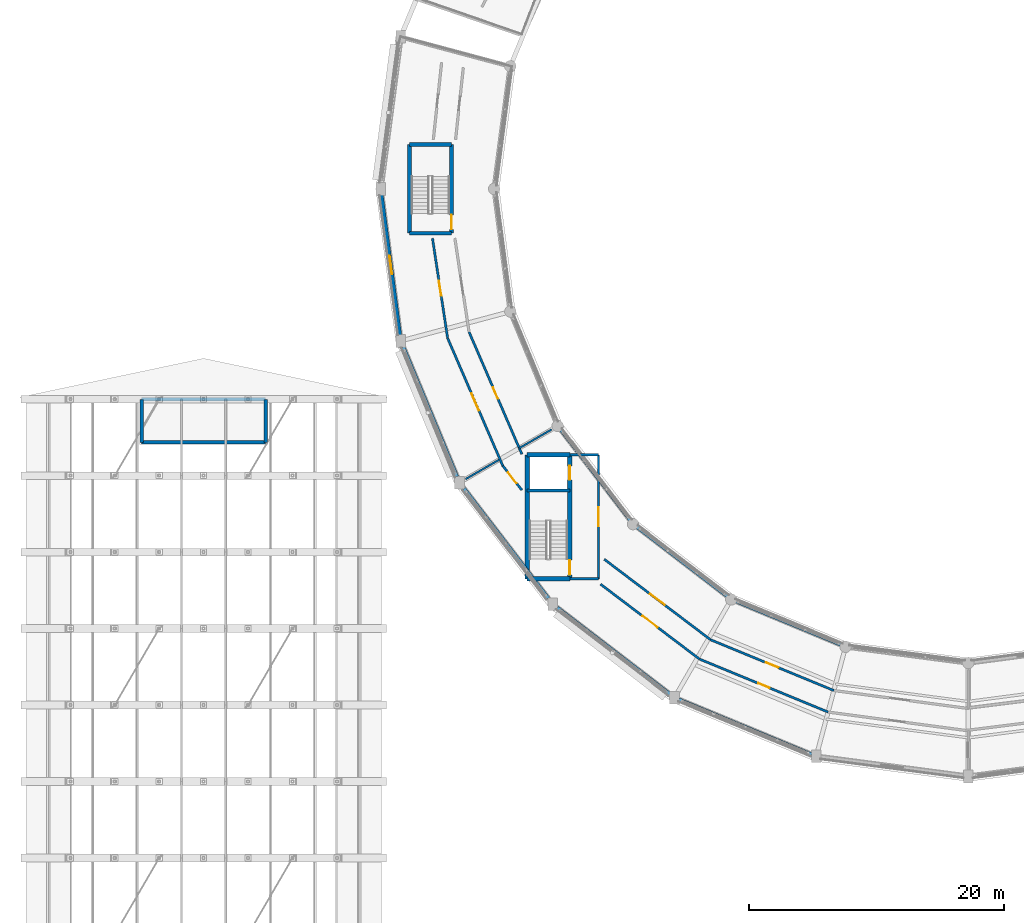
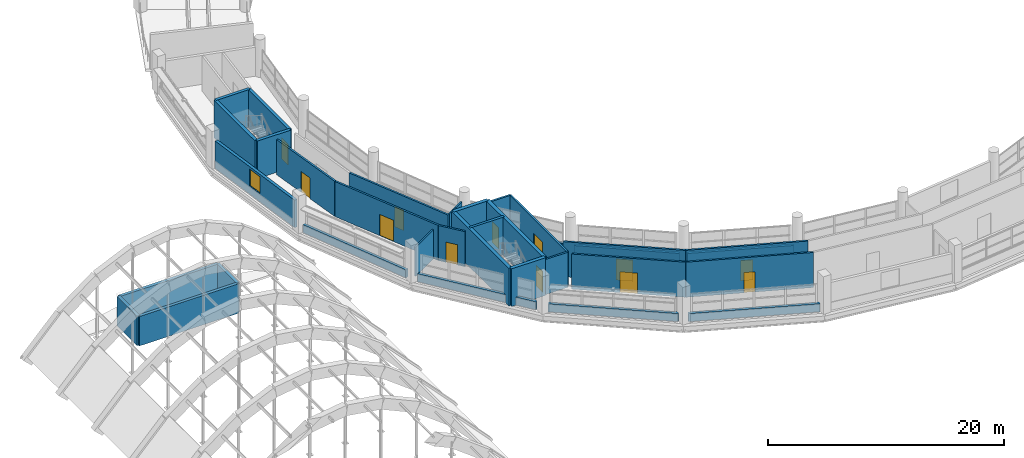
# One storey, part 74 of 88: 34 walls, 12 doors, 1 window, 13 openings.
"""IFC4 building model written with IfcOpenShell, lengths in metres."""

from ifc_helpers import new_model, si_unit, direction, frame, frame_2d, origin, place, context, subcontext, project, spatial, rectangle, extrude, material, layer, layer_set, type_object, element, fill, save


model = new_model("IFC4")

# Units and contexts
model_context = context("Model", 3, precision=1e-05, world=origin(), true_north=direction((0.0, 1.0)))
body_context = subcontext(model_context, "Body", "Model", "MODEL_VIEW")
ifc_project = project(units=[si_unit("LENGTHUNIT", "METRE"), si_unit("AREAUNIT", "SQUARE_METRE"), si_unit("VOLUMEUNIT", "CUBIC_METRE"), si_unit("PLANEANGLEUNIT", "RADIAN"), si_unit("MASSUNIT", "GRAM", prefix="KILO")], contexts=[model_context])

# Site, building, storey
site_placement = place(None, origin())
site = spatial("IfcSite", under=ifc_project, at=site_placement, CompositionType="ELEMENT")
building_placement = place(site_placement, origin())
building = spatial("IfcBuilding", under=site, at=building_placement, Name="Vespera Passage Community Centre", CompositionType="ELEMENT")
storey_placement = place(building_placement, frame((0.0, 0.0, 16.5)))
storey = spatial("IfcBuildingStorey", under=building, at=storey_placement, Name="L04", CompositionType="ELEMENT", Elevation=16.5)

# Wall, opening, door
ifc_material_1 = material(Name="Concrete f'c 45 MPa", Category="concrete")
ifc_layer_1 = layer(ifc_material_1, 0.300048828125)
ifc_layer_set_1 = layer_set([ifc_layer_1], Name="Concrete f'c 45 MPa")
wall_type_1 = type_object("IfcWallType", Name="WT-CORE-300I", PredefinedType="SHEAR", material=ifc_layer_set_1)
wall_1_placement = place(storey_placement, frame((37.449951171875, 68.97509765625, 0.0), z_axis=(0.0, 0.0, 1.0), x_axis=(0.0, -1.0, 0.0)))
wall_1 = element("IfcWall", 1, at=wall_1_placement, inside=storey, type_object=wall_type_1, Name="Core C2 L04 Shear Wall FRONT", PredefinedType="SHEAR", context=body_context, shape_type="SweptSolid", body=[
    extrude(rectangle(XDim=6.9501953125, YDim=0.300048828125, at=frame_2d((3.47509765625, 0.0))), origin(), (0.0, 0.0, 1.0), 3.89990234375),
])
opening_1_placement = place(wall_1_placement, frame((5.5048828125, 0.0, 0.0)))
opening_1 = element("IfcOpeningElement", 2, at=opening_1_placement, cuts=wall_1, Name="Opening DT-STAIR-90", PredefinedType="OPENING", context=body_context, shape_type="SweptSolid", body=[
    extrude(rectangle(XDim=1.14990234375, YDim=2.14990234375, at=frame_2d((0.574951171875, 1.074951171875))), frame((0.0, 0.159912109375, 0.0), z_axis=(0.0, -1.0, 0.0), x_axis=(1.0, 0.0, 0.0)), (0.0, 0.0, 1.0), 0.320068359375),
])
ifc_material_2 = material(Name="Painted hollow-metal acoustic door", Category="steel")
door_type_1 = type_object("IfcDoorType", Name="DT-STAIR-90", OperationType="NOTDEFINED", PredefinedType="DOOR", material=ifc_material_2)
door_1_placement = place(opening_1_placement, origin())
door_1 = element("IfcDoor", 3, at=door_1_placement, inside=storey, type_object=door_type_1, Name="Core C2 L04 Exit Stair Door D-069", OperationType="SINGLE_SWING_LEFT", OverallHeight=2.14990234375, OverallWidth=1.14990234375, PredefinedType="DOOR", context=body_context, shape_type="SweptSolid", body=[
    extrude(rectangle(XDim=1.14990234375, YDim=2.14990234375, at=frame_2d((0.574951171875, 1.074951171875))), frame((0.0, 0.02490234375, 0.0), z_axis=(0.0, -1.0, 0.0), x_axis=(1.0, 0.0, 0.0)), (0.0, 0.0, 1.0), 0.050048828125),
])
fill(opening_1, door_1)

# Walls
wall_2_placement = place(storey_placement, frame((37.449951171875, 62.02490234375, 0.0), z_axis=(0.0, 0.0, 1.0), x_axis=(-1.0, 0.0, 0.0)))
element("IfcWall", 4, at=wall_2_placement, inside=storey, type_object=wall_type_1, Name="Core C2 L04 Shear Wall LEFT", PredefinedType="SHEAR", context=body_context, shape_type="SweptSolid", body=[
    extrude(rectangle(XDim=3.300048828125, YDim=0.300048828125, at=frame_2d((1.64990234375, 0.0))), origin(), (0.0, 0.0, 1.0), 3.89990234375),
])
wall_3_placement = place(storey_placement, frame((34.14990234375, 62.02490234375, 0.0), z_axis=(0.0, 0.0, 1.0), x_axis=(0.0, 1.0, 0.0)))
element("IfcWall", 5, at=wall_3_placement, inside=storey, type_object=wall_type_1, Name="Core C2 L04 Shear Wall BACK", PredefinedType="SHEAR", context=body_context, shape_type="SweptSolid", body=[
    extrude(rectangle(XDim=6.9501953125, YDim=0.300048828125, at=frame_2d((3.47509765625, 0.0))), origin(), (0.0, 0.0, 1.0), 3.89990234375),
])
wall_4_placement = place(storey_placement, frame((34.14990234375, 68.97509765625, 0.0), z_axis=(0.0, 0.0, 1.0), x_axis=(1.0, 0.0, 0.0)))
element("IfcWall", 6, at=wall_4_placement, inside=storey, type_object=wall_type_1, Name="Core C2 L04 Shear Wall RIGHT", PredefinedType="SHEAR", context=body_context, shape_type="SweptSolid", body=[
    extrude(rectangle(XDim=3.300048828125, YDim=0.300048828125, at=frame_2d((1.64990234375, 0.0))), origin(), (0.0, 0.0, 1.0), 3.89990234375),
])

# Wall, openings, doors
ifc_material_3 = material(Name="Concrete f'c 45 MPa", Category="concrete")
ifc_layer_2 = layer(ifc_material_3, 0.340087890625)
ifc_layer_set_2 = layer_set([ifc_layer_2], Name="Concrete f'c 45 MPa")
wall_type_2 = type_object("IfcWallType", Name="WT-CORE-340I", PredefinedType="SHEAR", material=ifc_layer_set_2)
wall_5_placement = place(storey_placement, frame((46.73095703125, 44.6298828125, 0.0), z_axis=(0.0, 0.0, 1.0), x_axis=(0.0, -1.0, 0.0)))
wall_5 = element("IfcWall", 7, at=wall_5_placement, inside=storey, type_object=wall_type_2, Name="Core C3 L04 Shear Wall FRONT", PredefinedType="SHEAR", context=body_context, shape_type="SweptSolid", body=[
    extrude(rectangle(XDim=9.72998046875, YDim=0.340087890625, at=frame_2d((4.864990234375, 0.0))), origin(), (0.0, 0.0, 1.0), 3.89990234375),
])
opening_2_placement = place(wall_5_placement, frame((8.264892578125, 0.0, 0.0)))
opening_2 = element("IfcOpeningElement", 8, at=opening_2_placement, cuts=wall_5, Name="Opening DT-STAIR-90", PredefinedType="OPENING", context=body_context, shape_type="SweptSolid", body=[
    extrude(rectangle(XDim=1.14990234375, YDim=2.14990234375, at=frame_2d((0.574951171875, 1.074951171875))), frame((0.0, 0.179931640625, 0.0), z_axis=(0.0, -1.0, 0.0), x_axis=(1.0, 0.0, 0.0)), (0.0, 0.0, 1.0), 0.360107421875),
])
opening_3_placement = place(wall_5_placement, frame((0.8701171875, 0.0, 0.0)))
opening_3 = element("IfcOpeningElement", 9, at=opening_3_placement, cuts=wall_5, Name="Opening DT-LIFT-110", PredefinedType="OPENING", context=body_context, shape_type="SweptSolid", body=[
    extrude(rectangle(XDim=1.10009765625, YDim=2.14990234375, at=frame_2d((0.550048828125, 1.074951171875))), frame((0.0, 0.179931640625, 0.0), z_axis=(0.0, -1.0, 0.0), x_axis=(1.0, 0.0, 0.0)), (0.0, 0.0, 1.0), 0.360107421875),
])
ifc_material_4 = material(Name="Painted hollow-metal acoustic door", Category="steel")
door_type_2 = type_object("IfcDoorType", Name="DT-LIFT-110", OperationType="NOTDEFINED", PredefinedType="DOOR", material=ifc_material_4)
door_2_placement = place(opening_3_placement, origin())
door_2 = element("IfcDoor", 10, at=door_2_placement, inside=storey, type_object=door_type_2, Name="Elevator EL-01 L04 Landing Door LD-014", OperationType="SLIDING_TO_LEFT", OverallHeight=2.14990234375, OverallWidth=1.10009765625, PredefinedType="DOOR", context=body_context, shape_type="SweptSolid", body=[
    extrude(rectangle(XDim=1.10009765625, YDim=2.14990234375, at=frame_2d((0.550048828125, 1.074951171875))), frame((0.0, 0.02490234375, 0.0), z_axis=(0.0, -1.0, 0.0), x_axis=(1.0, 0.0, 0.0)), (0.0, 0.0, 1.0), 0.050048828125),
])
fill(opening_3, door_2)
door_3_placement = place(opening_2_placement, origin())
door_3 = element("IfcDoor", 11, at=door_3_placement, inside=storey, type_object=door_type_1, Name="Core C3 L04 Exit Stair Door D-082", OperationType="SINGLE_SWING_RIGHT", OverallHeight=2.14990234375, OverallWidth=1.14990234375, PredefinedType="DOOR", context=body_context, shape_type="SweptSolid", body=[
    extrude(rectangle(XDim=1.14990234375, YDim=2.14990234375, at=frame_2d((0.574951171875, 1.074951171875))), frame((0.0, 0.02490234375, 0.0), z_axis=(0.0, -1.0, 0.0), x_axis=(1.0, 0.0, 0.0)), (0.0, 0.0, 1.0), 0.050048828125),
])
fill(opening_2, door_3)

# Walls
wall_6_placement = place(storey_placement, frame((46.73095703125, 34.89990234375, 0.0), z_axis=(0.0, 0.0, 1.0), x_axis=(-1.0, 0.0, 0.0)))
element("IfcWall", 12, at=wall_6_placement, inside=storey, type_object=wall_type_2, Name="Core C3 L04 Shear Wall LEFT", PredefinedType="SHEAR", context=body_context, shape_type="SweptSolid", body=[
    extrude(rectangle(XDim=3.33984375, YDim=0.340087890625, at=frame_2d((1.669921875, 0.0))), origin(), (0.0, 0.0, 1.0), 3.89990234375),
])
wall_7_placement = place(storey_placement, frame((43.39111328125, 34.89990234375, 0.0), z_axis=(0.0, 0.0, 1.0), x_axis=(0.0, 1.0, 0.0)))
element("IfcWall", 13, at=wall_7_placement, inside=storey, type_object=wall_type_2, Name="Core C3 L04 Shear Wall BACK", PredefinedType="SHEAR", context=body_context, shape_type="SweptSolid", body=[
    extrude(rectangle(XDim=9.72998046875, YDim=0.340087890625, at=frame_2d((4.864990234375, 0.0))), origin(), (0.0, 0.0, 1.0), 3.89990234375),
])
wall_8_placement = place(storey_placement, frame((43.39111328125, 44.6298828125, 0.0), z_axis=(0.0, 0.0, 1.0), x_axis=(1.0, 0.0, 0.0)))
element("IfcWall", 14, at=wall_8_placement, inside=storey, type_object=wall_type_2, Name="Core C3 L04 Shear Wall RIGHT", PredefinedType="SHEAR", context=body_context, shape_type="SweptSolid", body=[
    extrude(rectangle(XDim=3.33984375, YDim=0.340087890625, at=frame_2d((1.669921875, 0.0))), origin(), (0.0, 0.0, 1.0), 3.89990234375),
])

# Wall, opening, door
ifc_material_5 = material(Name="Gypsum board acoustic stud partition")
ifc_layer_3 = layer(ifc_material_5, 0.179931640625)
ifc_layer_set_3 = layer_set([ifc_layer_3], Name="Gypsum board acoustic stud partition")
wall_type_3 = type_object("IfcWallType", Name="WT-CORR-180I", PredefinedType="PARTITIONING", material=ifc_layer_set_3)
wall_9_placement = place(storey_placement, frame((48.98095703125, 34.89990234375, 0.0), z_axis=(0.0, 0.0, 1.0), x_axis=(0.0, 1.0, 0.0)))
wall_9 = element("IfcWall", 15, at=wall_9_placement, inside=storey, type_object=wall_type_3, Name="Core C3 L04 Lift Lobby Front Wall", PredefinedType="PARTITIONING", context=body_context, shape_type="SweptSolid", body=[
    extrude(rectangle(XDim=9.72998046875, YDim=0.179931640625, at=frame_2d((4.864990234375, 0.0))), origin(), (0.0, 0.0, 1.0), 3.635009765625),
])
opening_4_placement = place(wall_9_placement, frame((4.114990234375, 0.0, 0.0)))
opening_4 = element("IfcOpeningElement", 16, at=opening_4_placement, cuts=wall_9, Name="Opening DT-CORR-150", PredefinedType="OPENING", context=body_context, shape_type="SweptSolid", body=[
    extrude(rectangle(XDim=1.5, YDim=2.14990234375, at=frame_2d((0.75, 1.074951171875))), frame((0.0, 0.099853515625, 0.0), z_axis=(0.0, -1.0, 0.0), x_axis=(1.0, 0.0, 0.0)), (0.0, 0.0, 1.0), 0.199951171875),
])
ifc_material_6 = material(Name="Painted hollow-metal acoustic door", Category="steel")
door_type_3 = type_object("IfcDoorType", Name="DT-CORR-150", OperationType="NOTDEFINED", PredefinedType="DOOR", material=ifc_material_6)
door_4_placement = place(opening_4_placement, origin())
door_4 = element("IfcDoor", 17, at=door_4_placement, inside=storey, type_object=door_type_3, Name="Core C3 L04 Lift Lobby Door D-083", OperationType="SINGLE_SWING_LEFT", OverallHeight=2.14990234375, OverallWidth=1.5, PredefinedType="DOOR", context=body_context, shape_type="SweptSolid", body=[
    extrude(rectangle(XDim=1.5, YDim=2.14990234375, at=frame_2d((0.75, 1.074951171875))), frame((0.0, 0.02490234375, 0.0), z_axis=(0.0, -1.0, 0.0), x_axis=(1.0, 0.0, 0.0)), (0.0, 0.0, 1.0), 0.050048828125),
])
fill(opening_4, door_4)

# Walls
for number, where, z_axis, x_axis, name in (
    (18, (46.73095703125, 34.89990234375, 0.0), (0.0, 0.0, 1.0), (1.0, 0.0, 0.0), "Core C3 L04 Lift Lobby Side Wall L"),
    (19, (46.73095703125, 44.6298828125, 0.0), (0.0, 0.0, 1.0), (1.0, 0.0, 0.0), "Core C3 L04 Lift Lobby Side Wall R"),
):
    element("IfcWall", number, at=place(storey_placement, frame(where, z_axis=z_axis, x_axis=x_axis)), inside=storey, type_object=wall_type_3, Name=name, PredefinedType="PARTITIONING", context=body_context, shape_type="SweptSolid", body=[
        extrude(rectangle(XDim=2.25, YDim=0.179931640625, at=frame_2d((1.125, 0.0))), origin(), (0.0, 0.0, 1.0), 3.635009765625),
    ])

# Wall, opening, door
wall_10_placement = place(storey_placement, frame((35.957275390625, 61.625, 0.0), z_axis=(0.0, 0.0, 1.0), x_axis=(0.14997684897, -0.988689508781, 0.0)))
wall_10 = element("IfcWall", 20, at=wall_10_placement, inside=storey, type_object=wall_type_3, Name="L04 Interior Partition V4-L04-CO09.1", PredefinedType="PARTITIONING", context=body_context, shape_type="SweptSolid", body=[
    extrude(rectangle(XDim=7.92919921875, YDim=0.179931640625, at=frame_2d((3.964599609375, 0.0))), origin(), (0.0, 0.0, 1.0), 3.635009765625),
])
opening_5_placement = place(wall_10_placement, frame((3.364501953125, 0.0, 0.0)))
opening_5 = element("IfcOpeningElement", 21, at=opening_5_placement, cuts=wall_10, Name="Opening DT-CORR-120", PredefinedType="OPENING", context=body_context, shape_type="SweptSolid", body=[
    extrude(rectangle(XDim=1.199951171875, YDim=2.14990234375, at=frame_2d((0.60009765625, 1.074951171875))), frame((0.0, 0.099853515625, 0.0), z_axis=(0.0, -1.0, 0.0), x_axis=(1.0, 0.0, 0.0)), (0.0, 0.0, 1.0), 0.199951171875),
])
ifc_material_7 = material(Name="Painted hollow-metal acoustic door", Category="steel")
door_type_4 = type_object("IfcDoorType", Name="DT-CORR-120", OperationType="NOTDEFINED", PredefinedType="DOOR", material=ifc_material_7)
door_5_placement = place(opening_5_placement, origin())
door_5 = element("IfcDoor", 22, at=door_5_placement, inside=storey, type_object=door_type_4, Name="L04 Interior Door D-279", OperationType="SINGLE_SWING_LEFT", OverallHeight=2.14990234375, OverallWidth=1.199951171875, PredefinedType="DOOR", context=body_context, shape_type="SweptSolid", body=[
    extrude(rectangle(XDim=1.199951171875, YDim=2.14990234375, at=frame_2d((0.60009765625, 1.074951171875))), frame((0.0, 0.02490234375, 0.0), z_axis=(0.0, -1.0, 0.0), x_axis=(1.0, 0.0, 0.0)), (0.0, 0.0, 1.0), 0.050048828125),
])
fill(opening_5, door_5)

wall_11_placement = place(storey_placement, frame((37.146484375, 53.785400390625, 0.0), z_axis=(0.0, 0.0, 1.0), x_axis=(0.396728746424, -0.917935891967, 0.0)))
wall_11 = element("IfcWall", 23, at=wall_11_placement, inside=storey, type_object=wall_type_3, Name="L04 Interior Partition V4-L04-CO10.1", PredefinedType="PARTITIONING", context=body_context, shape_type="SweptSolid", body=[
    extrude(rectangle(XDim=10.91064453125, YDim=0.179931640625, at=frame_2d((5.455322265625, 0.0))), origin(), (0.0, 0.0, 1.0), 3.635009765625),
])
opening_6_placement = place(wall_11_placement, frame((4.73046875, 0.0, 0.0)))
opening_6 = element("IfcOpeningElement", 24, at=opening_6_placement, cuts=wall_11, Name="Opening DT-PLANT-145", PredefinedType="OPENING", context=body_context, shape_type="SweptSolid", body=[
    extrude(rectangle(XDim=1.449951171875, YDim=2.199951171875, at=frame_2d((0.72509765625, 1.10009765625))), frame((0.0, 0.099853515625, 0.0), z_axis=(0.0, -1.0, 0.0), x_axis=(1.0, 0.0, 0.0)), (0.0, 0.0, 1.0), 0.199951171875),
])
ifc_material_8 = material(Name="Painted hollow-metal acoustic door", Category="steel")
door_type_5 = type_object("IfcDoorType", Name="DT-PLANT-145", OperationType="NOTDEFINED", PredefinedType="DOOR", material=ifc_material_8)
door_6_placement = place(opening_6_placement, origin())
door_6 = element("IfcDoor", 25, at=door_6_placement, inside=storey, type_object=door_type_5, Name="L04 Interior Door D-281", OperationType="SINGLE_SWING_LEFT", OverallHeight=2.199951171875, OverallWidth=1.449951171875, PredefinedType="DOOR", context=body_context, shape_type="SweptSolid", body=[
    extrude(rectangle(XDim=1.449951171875, YDim=2.199951171875, at=frame_2d((0.72509765625, 1.10009765625))), frame((0.0, 0.02490234375, 0.0), z_axis=(0.0, -1.0, 0.0), x_axis=(1.0, 0.0, 0.0)), (0.0, 0.0, 1.0), 0.050048828125),
])
fill(opening_6, door_6)

wall_12_placement = place(storey_placement, frame((38.82861328125, 54.267822265625, 0.0), z_axis=(0.0, 0.0, 1.0), x_axis=(0.3967423678, -0.917930004735, 0.0)))
wall_12 = element("IfcWall", 26, at=wall_12_placement, inside=storey, type_object=wall_type_3, Name="L04 Interior Partition V4-L04-CI10.1", PredefinedType="PARTITIONING", context=body_context, shape_type="SweptSolid", body=[
    extrude(rectangle(XDim=10.44091796875, YDim=0.179931640625, at=frame_2d((5.220458984375, 0.0))), origin(), (0.0, 0.0, 1.0), 3.635009765625),
])
opening_7_placement = place(wall_12_placement, frame((4.74560546875, 0.0, 0.0)))
opening_7 = element("IfcOpeningElement", 27, at=opening_7_placement, cuts=wall_12, Name="Opening DT-CORR-95", PredefinedType="OPENING", context=body_context, shape_type="SweptSolid", body=[
    extrude(rectangle(XDim=0.949951171875, YDim=2.10009765625, at=frame_2d((0.47509765625, 1.050048828125))), frame((0.0, 0.099853515625, 0.0), z_axis=(0.0, -1.0, 0.0), x_axis=(1.0, 0.0, 0.0)), (0.0, 0.0, 1.0), 0.199951171875),
])
ifc_material_9 = material(Name="Painted hollow-metal acoustic door", Category="steel")
door_type_6 = type_object("IfcDoorType", Name="DT-CORR-95", OperationType="NOTDEFINED", PredefinedType="DOOR", material=ifc_material_9)
door_7_placement = place(opening_7_placement, origin())
door_7 = element("IfcDoor", 28, at=door_7_placement, inside=storey, type_object=door_type_6, Name="L04 Interior Door D-282", OperationType="SINGLE_SWING_RIGHT", OverallHeight=2.10009765625, OverallWidth=0.949951171875, PredefinedType="DOOR", context=body_context, shape_type="SweptSolid", body=[
    extrude(rectangle(XDim=0.949951171875, YDim=2.10009765625, at=frame_2d((0.47509765625, 1.050048828125))), frame((0.0, 0.02490234375, 0.0), z_axis=(0.0, -1.0, 0.0), x_axis=(1.0, 0.0, 0.0)), (0.0, 0.0, 1.0), 0.050048828125),
])
fill(opening_7, door_7)

wall_13_placement = place(storey_placement, frame((41.47509765625, 43.77001953125, 0.0), z_axis=(0.0, 0.0, 1.0), x_axis=(0.61738089069, -0.78666437304, 0.0)))
wall_13 = element("IfcWall", 29, at=wall_13_placement, inside=storey, type_object=wall_type_3, Name="L04 Interior Partition V4-L04-CO11.1", PredefinedType="PARTITIONING", context=body_context, shape_type="SweptSolid", body=[
    extrude(rectangle(XDim=2.4228515625, YDim=0.179931640625, at=frame_2d((1.21142578125, 0.0))), origin(), (0.0, 0.0, 1.0), 3.635009765625),
])
opening_8_placement = place(wall_13_placement, frame((0.686279296875, 0.0, 0.0)))
opening_8 = element("IfcOpeningElement", 30, at=opening_8_placement, cuts=wall_13, Name="Opening DT-CORR-105", PredefinedType="OPENING", context=body_context, shape_type="SweptSolid", body=[
    extrude(rectangle(XDim=1.050048828125, YDim=2.10009765625, at=frame_2d((0.52490234375, 1.050048828125))), frame((0.0, 0.099853515625, 0.0), z_axis=(0.0, -1.0, 0.0), x_axis=(1.0, 0.0, 0.0)), (0.0, 0.0, 1.0), 0.199951171875),
])
ifc_material_10 = material(Name="Painted hollow-metal acoustic door", Category="steel")
door_type_7 = type_object("IfcDoorType", Name="DT-CORR-105", OperationType="NOTDEFINED", PredefinedType="DOOR", material=ifc_material_10)
door_8_placement = place(opening_8_placement, origin())
door_8 = element("IfcDoor", 31, at=door_8_placement, inside=storey, type_object=door_type_7, Name="L04 Interior Door D-283", OperationType="SINGLE_SWING_LEFT", OverallHeight=2.10009765625, OverallWidth=1.050048828125, PredefinedType="DOOR", context=body_context, shape_type="SweptSolid", body=[
    extrude(rectangle(XDim=1.050048828125, YDim=2.10009765625, at=frame_2d((0.52490234375, 1.050048828125))), frame((0.0, 0.02490234375, 0.0), z_axis=(0.0, -1.0, 0.0), x_axis=(1.0, 0.0, 0.0)), (0.0, 0.0, 1.0), 0.050048828125),
])
fill(opening_8, door_8)

wall_14_placement = place(storey_placement, frame((49.145263671875, 34.47998046875, 0.0), z_axis=(0.0, 0.0, 1.0), x_axis=(0.797320966948, -0.603555528237, 0.0)))
wall_14 = element("IfcWall", 32, at=wall_14_placement, inside=storey, type_object=wall_type_3, Name="L04 Interior Partition V4-L04-CO12.1", PredefinedType="PARTITIONING", context=body_context, shape_type="SweptSolid", body=[
    extrude(rectangle(XDim=9.73974609375, YDim=0.179931640625, at=frame_2d((4.869873046875, 0.0))), origin(), (0.0, 0.0, 1.0), 3.635009765625),
])
opening_9_placement = place(wall_14_placement, frame((4.119873046875, 0.0, 0.0)))
opening_9 = element("IfcOpeningElement", 33, at=opening_9_placement, cuts=wall_14, Name="Opening DT-CORR-150", PredefinedType="OPENING", context=body_context, shape_type="SweptSolid", body=[
    extrude(rectangle(XDim=1.5, YDim=2.14990234375, at=frame_2d((0.75, 1.074951171875))), frame((0.0, 0.099853515625, 0.0), z_axis=(0.0, -1.0, 0.0), x_axis=(1.0, 0.0, 0.0)), (0.0, 0.0, 1.0), 0.199951171875),
])
door_9_placement = place(opening_9_placement, origin())
door_9 = element("IfcDoor", 34, at=door_9_placement, inside=storey, type_object=door_type_3, Name="L04 Interior Door D-284", OperationType="SINGLE_SWING_RIGHT", OverallHeight=2.14990234375, OverallWidth=1.5, PredefinedType="DOOR", context=body_context, shape_type="SweptSolid", body=[
    extrude(rectangle(XDim=1.5, YDim=2.14990234375, at=frame_2d((0.75, 1.074951171875))), frame((0.0, 0.02490234375, 0.0), z_axis=(0.0, -1.0, 0.0), x_axis=(1.0, 0.0, 0.0)), (0.0, 0.0, 1.0), 0.050048828125),
])
fill(opening_9, door_9)

wall_15_placement = place(storey_placement, frame((49.43798828125, 36.43505859375, 0.0), z_axis=(0.0, 0.0, 1.0), x_axis=(0.797320488193, -0.60355616069, 0.0)))
wall_15 = element("IfcWall", 35, at=wall_15_placement, inside=storey, type_object=wall_type_3, Name="L04 Interior Partition V4-L04-CI12.1", PredefinedType="PARTITIONING", context=body_context, shape_type="SweptSolid", body=[
    extrude(rectangle(XDim=10.461669921875, YDim=0.179931640625, at=frame_2d((5.23095703125, 0.0))), origin(), (0.0, 0.0, 1.0), 3.635009765625),
])
opening_10_placement = place(wall_15_placement, frame((4.505859375, 0.0, 0.0)))
opening_10 = element("IfcOpeningElement", 36, at=opening_10_placement, cuts=wall_15, Name="Opening DT-PLANT-145", PredefinedType="OPENING", context=body_context, shape_type="SweptSolid", body=[
    extrude(rectangle(XDim=1.449951171875, YDim=2.199951171875, at=frame_2d((0.72509765625, 1.10009765625))), frame((0.0, 0.099853515625, 0.0), z_axis=(0.0, -1.0, 0.0), x_axis=(1.0, 0.0, 0.0)), (0.0, 0.0, 1.0), 0.199951171875),
])
door_10_placement = place(opening_10_placement, origin())
door_10 = element("IfcDoor", 37, at=door_10_placement, inside=storey, type_object=door_type_5, Name="L04 Interior Door D-285", OperationType="SINGLE_SWING_LEFT", OverallHeight=2.199951171875, OverallWidth=1.449951171875, PredefinedType="DOOR", context=body_context, shape_type="SweptSolid", body=[
    extrude(rectangle(XDim=1.449951171875, YDim=2.199951171875, at=frame_2d((0.72509765625, 1.10009765625))), frame((0.0, 0.02490234375, 0.0), z_axis=(0.0, -1.0, 0.0), x_axis=(1.0, 0.0, 0.0)), (0.0, 0.0, 1.0), 0.050048828125),
])
fill(opening_10, door_10)

wall_16_placement = place(storey_placement, frame((56.910888671875, 28.6015625, 0.0), z_axis=(0.0, 0.0, 1.0), x_axis=(0.924714240297, -0.380662020421, 0.0)))
wall_16 = element("IfcWall", 38, at=wall_16_placement, inside=storey, type_object=wall_type_3, Name="L04 Interior Partition V4-L04-CO13.1", PredefinedType="PARTITIONING", context=body_context, shape_type="SweptSolid", body=[
    extrude(rectangle(XDim=10.910888671875, YDim=0.179931640625, at=frame_2d((5.45556640625, 0.0))), origin(), (0.0, 0.0, 1.0), 3.635009765625),
])
opening_11_placement = place(wall_16_placement, frame((4.98046875, 0.0, 0.0)))
opening_11 = element("IfcOpeningElement", 39, at=opening_11_placement, cuts=wall_16, Name="Opening DT-CORR-95", PredefinedType="OPENING", context=body_context, shape_type="SweptSolid", body=[
    extrude(rectangle(XDim=0.949951171875, YDim=2.10009765625, at=frame_2d((0.47509765625, 1.050048828125))), frame((0.0, 0.099853515625, 0.0), z_axis=(0.0, -1.0, 0.0), x_axis=(1.0, 0.0, 0.0)), (0.0, 0.0, 1.0), 0.199951171875),
])
door_11_placement = place(opening_11_placement, origin())
door_11 = element("IfcDoor", 40, at=door_11_placement, inside=storey, type_object=door_type_6, Name="L04 Interior Door D-286", OperationType="SINGLE_SWING_RIGHT", OverallHeight=2.10009765625, OverallWidth=0.949951171875, PredefinedType="DOOR", context=body_context, shape_type="SweptSolid", body=[
    extrude(rectangle(XDim=0.949951171875, YDim=2.10009765625, at=frame_2d((0.47509765625, 1.050048828125))), frame((0.0, 0.02490234375, 0.0), z_axis=(0.0, -1.0, 0.0), x_axis=(1.0, 0.0, 0.0)), (0.0, 0.0, 1.0), 0.050048828125),
])
fill(opening_11, door_11)

wall_17_placement = place(storey_placement, frame((57.779296875, 30.120849609375, 0.0), z_axis=(0.0, 0.0, 1.0), x_axis=(0.92470902743, -0.38067468341, 0.0)))
wall_17 = element("IfcWall", 41, at=wall_17_placement, inside=storey, type_object=wall_type_3, Name="L04 Interior Partition V4-L04-CI13.1", PredefinedType="PARTITIONING", context=body_context, shape_type="SweptSolid", body=[
    extrude(rectangle(XDim=10.46142578125, YDim=0.179931640625, at=frame_2d((5.230712890625, 0.0))), origin(), (0.0, 0.0, 1.0), 3.635009765625),
])
opening_12_placement = place(wall_17_placement, frame((4.705810546875, 0.0, 0.0)))
opening_12 = element("IfcOpeningElement", 42, at=opening_12_placement, cuts=wall_17, Name="Opening DT-CORR-105", PredefinedType="OPENING", context=body_context, shape_type="SweptSolid", body=[
    extrude(rectangle(XDim=1.050048828125, YDim=2.10009765625, at=frame_2d((0.52490234375, 1.050048828125))), frame((0.0, 0.099853515625, 0.0), z_axis=(0.0, -1.0, 0.0), x_axis=(1.0, 0.0, 0.0)), (0.0, 0.0, 1.0), 0.199951171875),
])
door_12_placement = place(opening_12_placement, origin())
door_12 = element("IfcDoor", 43, at=door_12_placement, inside=storey, type_object=door_type_7, Name="L04 Interior Door D-287", OperationType="SINGLE_SWING_LEFT", OverallHeight=2.10009765625, OverallWidth=1.050048828125, PredefinedType="DOOR", context=body_context, shape_type="SweptSolid", body=[
    extrude(rectangle(XDim=1.050048828125, YDim=2.10009765625, at=frame_2d((0.52490234375, 1.050048828125))), frame((0.0, 0.02490234375, 0.0), z_axis=(0.0, -1.0, 0.0), x_axis=(1.0, 0.0, 0.0)), (0.0, 0.0, 1.0), 0.050048828125),
])
fill(opening_12, door_12)

# Walls
ifc_material_11 = material(Name="Concrete f'c 45 MPa", Category="concrete")
ifc_layer_4 = layer(ifc_material_11, 0.239990234375)
ifc_layer_set_4 = layer_set([ifc_layer_4], Name="Concrete f'c 45 MPa")
wall_type_4 = type_object("IfcWallType", Name="WT-DIV-240I", PredefinedType="SHEAR", material=ifc_layer_set_4)
wall_18_placement = place(storey_placement, frame((46.73095703125, 41.840087890625, 0.0), z_axis=(0.0, 0.0, 1.0), x_axis=(-1.0, 0.0, 0.0)))
element("IfcWall", 44, at=wall_18_placement, inside=storey, type_object=wall_type_4, Name="Core C3 L04 Hoistway Divider Wall", PredefinedType="SHEAR", context=body_context, shape_type="SweptSolid", body=[
    extrude(rectangle(XDim=3.33984375, YDim=0.239990234375, at=frame_2d((1.669921875, 0.0))), origin(), (0.0, 0.0, 1.0), 3.89990234375),
])
ifc_material_12 = material(Name="Precast concrete f'c 40 MPa", Category="concrete")
ifc_layer_5 = layer(ifc_material_12, 0.25)
ifc_layer_set_5 = layer_set([ifc_layer_5], Name="Precast concrete f'c 40 MPa")
wall_type_5 = type_object("IfcWallType", Name="WT-EXT-250E", PredefinedType="STANDARD", material=ifc_layer_set_5)
for number, where, z_axis, x_axis, name in (
    (45, (45.998779296875, 46.619873046875, 0.0), (0.0, 0.0, 1.0), (0.608769580289, -0.793347085527, 0.0), "V4 L04 Court Spandrel Wall I14"),
    (46, (51.975830078125, 38.980712890625, 0.0), (0.0, 0.0, 1.0), (0.793347085527, -0.608769580289, 0.0), "V4 L04 Court Spandrel Wall I15"),
):
    element("IfcWall", number, at=place(storey_placement, frame(where, z_axis=z_axis, x_axis=x_axis)), inside=storey, type_object=wall_type_5, Name=name, PredefinedType="STANDARD", context=body_context, shape_type="SweptSolid", body=[
        extrude(rectangle(XDim=9.0048828125, YDim=0.25, at=frame_2d((4.50244140625, 0.0))), origin(), (0.0, 0.0, 1.0), 0.820068359375),
    ])
wall_19_placement = place(storey_placement, frame((59.677001953125, 33.169189453125, 0.0), z_axis=(0.0, 0.0, 1.0), x_axis=(0.923880324771, -0.382681519675, 0.0)))
element("IfcWall", 47, at=wall_19_placement, inside=storey, type_object=wall_type_5, Name="V4 L04 Court Spandrel Wall I16", PredefinedType="STANDARD", context=body_context, shape_type="SweptSolid", body=[
    extrude(rectangle(XDim=9.111572265625, YDim=0.25, at=frame_2d((4.5556640625, 0.0))), origin(), (0.0, 0.0, 1.0), 0.820068359375),
])

# Wall, opening, window
ifc_material_13 = material(Name="Precast concrete f'c 40 MPa", Category="concrete")
ifc_layer_6 = layer(ifc_material_13, 0.280029296875)
ifc_layer_set_6 = layer_set([ifc_layer_6], Name="Precast concrete f'c 40 MPa")
wall_type_6 = type_object("IfcWallType", Name="WT-EXT-280E", PredefinedType="STANDARD", material=ifc_layer_set_6)
wall_20_placement = place(storey_placement, frame((33.408203125, 54.043701171875, 0.0), z_axis=(0.0, 0.0, 1.0), x_axis=(-0.130513242145, 0.991446566197, 0.0)))
wall_20 = element("IfcWall", 48, at=wall_20_placement, inside=storey, type_object=wall_type_6, Name="V4 L04 Outer Precast Wall 12", PredefinedType="STANDARD", context=body_context, shape_type="SweptSolid", body=[
    extrude(rectangle(XDim=11.075927734375, YDim=0.280029296875, at=frame_2d((5.5380859375, 0.0))), origin(), (0.0, 0.0, 1.0), 2.845703125),
])
opening_13_placement = place(wall_20_placement, frame((4.81298828125, 0.0, 0.85009765625)))
opening_13 = element("IfcOpeningElement", 49, at=opening_13_placement, cuts=wall_20, Name="Opening WN-19E", PredefinedType="OPENING", context=body_context, shape_type="SweptSolid", body=[
    extrude(rectangle(XDim=1.449951171875, YDim=1.75, at=frame_2d((0.72509765625, 0.875))), frame((0.0, 0.150146484375, 0.0), z_axis=(0.0, -1.0, 0.0), x_axis=(1.0, 0.0, 0.0)), (0.0, 0.0, 1.0), 0.300048828125),
])
ifc_material_14 = material(Name="Low-E insulated vision glass", Category="glass")
window_type = type_object("IfcWindowType", Name="WN-19E", PartitioningType="SINGLE_PANEL", PredefinedType="WINDOW", material=ifc_material_14)
window_placement = place(opening_13_placement, origin())
window = element("IfcWindow", 50, at=window_placement, inside=storey, type_object=window_type, Name="Window WN-V4-L04-O12", OverallHeight=1.75, OverallWidth=1.449951171875, PartitioningType="SINGLE_PANEL", PredefinedType="WINDOW", context=body_context, shape_type="SweptSolid", body=[
    extrude(rectangle(XDim=1.449951171875, YDim=1.75, at=frame_2d((0.72509765625, 0.875))), frame((0.0, 0.030029296875, 0.0), z_axis=(0.0, -1.0, 0.0), x_axis=(1.0, 0.0, 0.0)), (0.0, 0.0, 1.0), 0.06005859375),
])
fill(opening_13, window)

# Walls
wall_21_placement = place(storey_placement, frame((37.878662109375, 42.927001953125, 0.0), z_axis=(0.0, 0.0, 1.0), x_axis=(-0.382695413149, 0.923874569817, 0.0)))
element("IfcWall", 51, at=wall_21_placement, inside=storey, type_object=wall_type_6, Name="V4 L04 Spandrel Wall O13", PredefinedType="STANDARD", context=body_context, shape_type="SweptSolid", body=[
    extrude(rectangle(XDim=11.002197265625, YDim=0.280029296875, at=frame_2d((5.5009765625, 0.0))), origin(), (0.0, 0.0, 1.0), 0.820068359375),
])
wall_22_placement = place(storey_placement, frame((45.04248046875, 33.371337890625, 0.0), z_axis=(0.0, 0.0, 1.0), x_axis=(-0.608753590889, 0.79335935463, 0.0)))
element("IfcWall", 52, at=wall_22_placement, inside=storey, type_object=wall_type_6, Name="V4 L04 Spandrel Wall O14", PredefinedType="STANDARD", context=body_context, shape_type="SweptSolid", body=[
    extrude(rectangle(XDim=10.852294921875, YDim=0.280029296875, at=frame_2d((5.42626953125, 0.0))), origin(), (0.0, 0.0, 1.0), 0.820068359375),
])
wall_23_placement = place(storey_placement, frame((54.5947265625, 25.8486328125, 0.0), z_axis=(0.0, 0.0, 1.0), x_axis=(-0.793342066679, 0.608776120785, 0.0)))
element("IfcWall", 53, at=wall_23_placement, inside=storey, type_object=wall_type_6, Name="V4 L04 Spandrel Wall O15", PredefinedType="STANDARD", context=body_context, shape_type="SweptSolid", body=[
    extrude(rectangle(XDim=11.13916015625, YDim=0.280029296875, at=frame_2d((5.569580078125, 0.0))), origin(), (0.0, 0.0, 1.0), 0.820068359375),
])
wall_24_placement = place(storey_placement, frame((65.716552734375, 21.11669921875, 0.0), z_axis=(0.0, 0.0, 1.0), x_axis=(-0.923883530636, 0.382673779896, 0.0)))
element("IfcWall", 54, at=wall_24_placement, inside=storey, type_object=wall_type_6, Name="V4 L04 Spandrel Wall O16", PredefinedType="STANDARD", context=body_context, shape_type="SweptSolid", body=[
    extrude(rectangle(XDim=11.2724609375, YDim=0.280029296875, at=frame_2d((5.63623046875, 0.0))), origin(), (0.0, 0.0, 1.0), 0.820068359375),
])
ifc_material_15 = material(Name="Concrete f'c 45 MPa", Category="concrete")
ifc_layer_7 = layer(ifc_material_15, 0.2900390625)
ifc_layer_set_7 = layer_set([ifc_layer_7], Name="Concrete f'c 45 MPa")
wall_type_7 = type_object("IfcWallType", Name="WT-OVERRUN-290E", PredefinedType="SHEAR", material=ifc_layer_set_7)
wall_25_placement = place(storey_placement, frame((13.135009765625, 45.610107421875, 0.0), z_axis=(0.0, 0.0, 1.0), x_axis=(1.0, 0.0, 0.0)))
element("IfcWall", 55, at=wall_25_placement, inside=storey, type_object=wall_type_7, Name="Core C5 Overrun Enclosure Wall 1", PredefinedType="SHEAR", context=body_context, shape_type="SweptSolid", body=[
    extrude(rectangle(XDim=9.72998046875, YDim=0.2900390625, at=frame_2d((4.864990234375, 0.0))), origin(), (0.0, 0.0, 1.0), 3.050048828125),
])
wall_26_placement = place(storey_placement, frame((22.864990234375, 45.610107421875, 0.0), z_axis=(0.0, 0.0, 1.0), x_axis=(0.0, 1.0, 0.0)))
element("IfcWall", 56, at=wall_26_placement, inside=storey, type_object=wall_type_7, Name="Core C5 Overrun Enclosure Wall 2", PredefinedType="SHEAR", context=body_context, shape_type="SweptSolid", body=[
    extrude(rectangle(XDim=3.3798828125, YDim=0.2900390625, at=frame_2d((1.68994140625, 0.0))), origin(), (0.0, 0.0, 1.0), 3.050048828125),
])
wall_27_placement = place(storey_placement, frame((22.864990234375, 48.989990234375, 0.0), z_axis=(0.0, 0.0, 1.0), x_axis=(-1.0, 0.0, 0.0)))
element("IfcWall", 57, at=wall_27_placement, inside=storey, type_object=wall_type_7, Name="Core C5 Overrun Enclosure Wall 3", PredefinedType="SHEAR", context=body_context, shape_type="SweptSolid", body=[
    extrude(rectangle(XDim=9.72998046875, YDim=0.2900390625, at=frame_2d((4.864990234375, 0.0))), origin(), (0.0, 0.0, 1.0), 3.050048828125),
])
wall_28_placement = place(storey_placement, frame((13.135009765625, 48.989990234375, 0.0), z_axis=(0.0, 0.0, 1.0), x_axis=(0.0, -1.0, 0.0)))
element("IfcWall", 58, at=wall_28_placement, inside=storey, type_object=wall_type_7, Name="Core C5 Overrun Enclosure Wall 4", PredefinedType="SHEAR", context=body_context, shape_type="SweptSolid", body=[
    extrude(rectangle(XDim=3.3798828125, YDim=0.2900390625, at=frame_2d((1.68994140625, 0.0))), origin(), (0.0, 0.0, 1.0), 3.050048828125),
])
ifc_material_16 = material(Name="Gypsum board acoustic stud partition")
ifc_layer_8 = layer(ifc_material_16, 0.139892578125)
ifc_layer_set_8 = layer_set([ifc_layer_8], Name="Gypsum board acoustic stud partition")
wall_type_8 = type_object("IfcWallType", Name="WT-ROOM-140I", PredefinedType="PARTITIONING", material=ifc_layer_set_8)
wall_29_placement = place(storey_placement, frame((41.19384765625, 44.25, 0.0), z_axis=(0.0, 0.0, 1.0), x_axis=(-0.866037623948, -0.499978833458, 0.0)))
element("IfcWall", 59, at=wall_29_placement, inside=storey, type_object=wall_type_8, Name="L04 Interior Partition V4-L04-RO17-1.1", PredefinedType="PARTITIONING", context=body_context, shape_type="SweptSolid", body=[
    extrude(rectangle(XDim=3.050048828125, YDim=0.139892578125, at=frame_2d((1.52490234375, 0.0))), origin(), (0.0, 0.0, 1.0), 2.99658203125),
])
wall_30_placement = place(storey_placement, frame((45.3076171875, 46.625, 0.0), z_axis=(0.0, 0.0, 1.0), x_axis=(-0.866031096941, -0.499990139034, 0.0)))
element("IfcWall", 60, at=wall_30_placement, inside=storey, type_object=wall_type_8, Name="L04 Interior Partition V4-L04-RI17-1.1", PredefinedType="PARTITIONING", context=body_context, shape_type="SweptSolid", body=[
    extrude(rectangle(XDim=3.0, YDim=0.139892578125, at=frame_2d((1.5, 0.0))), origin(), (0.0, 0.0, 1.0), 2.99658203125),
])

save(model, "model.ifc")
